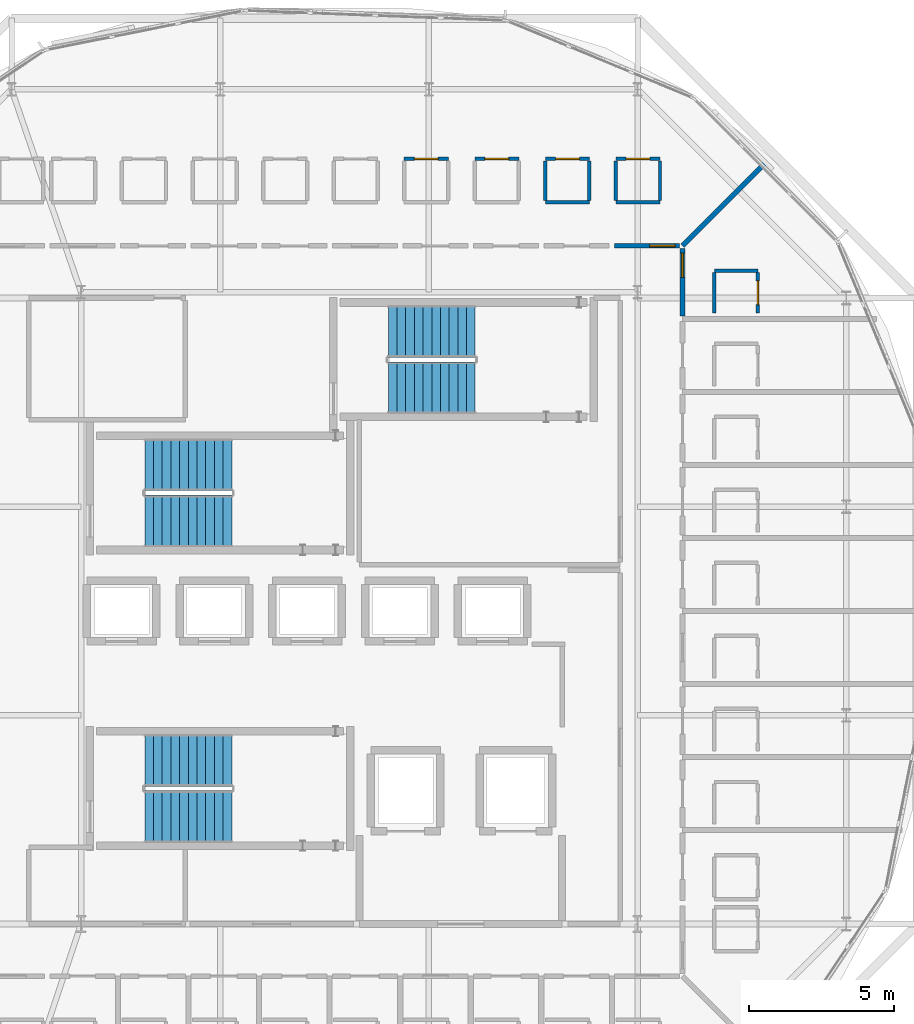
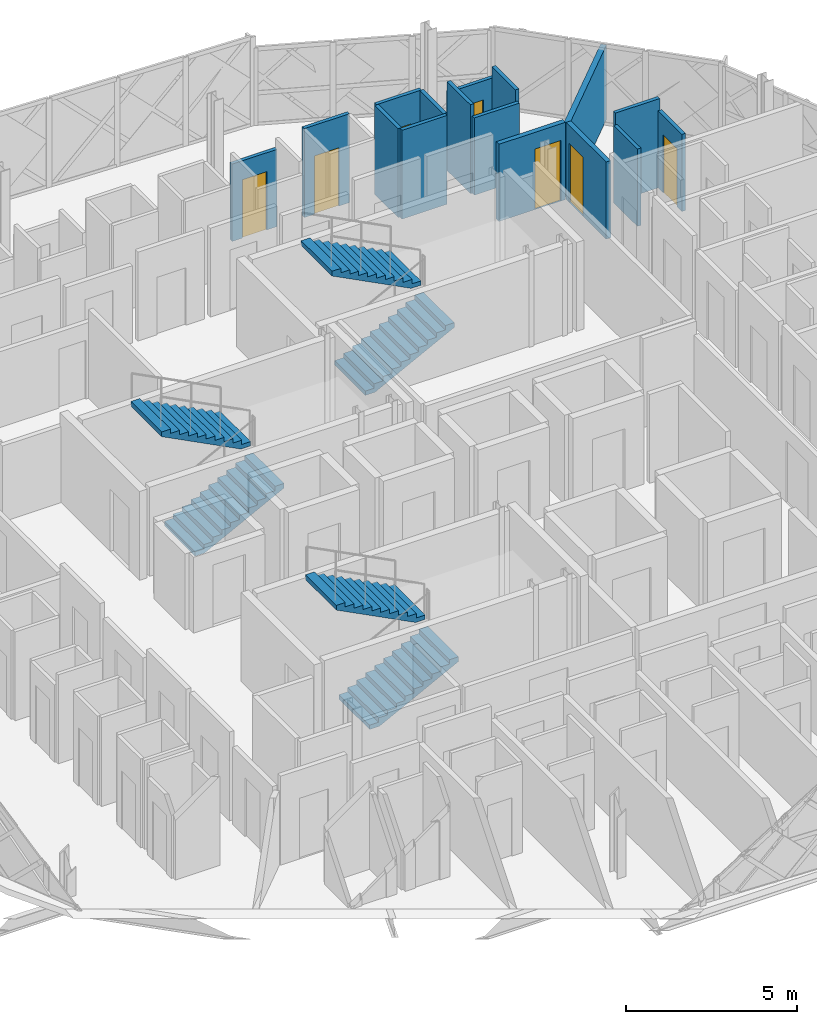
# One storey, part 19 of 24: 16 walls, 7 doors, 6 stair flights, 7 openings, 3 elements without a shape of their own.
"""IFC4 building model written with IfcOpenShell, lengths in metres."""

from ifc_helpers import new_model, si_unit, direction, frame, frame_2d, origin, place, context, subcontext, project, spatial, polyline, rectangle, outline, extrude, material, layer, layer_set, type_object, element, fill, aggregate, save


model = new_model("IFC4")

# Units and contexts
model_context = context("Model", 3, precision=1e-05, world=origin(), true_north=direction((0.0, 1.0)))
body_context = subcontext(model_context, "Body", "Model", "MODEL_VIEW")
ifc_project = project(units=[si_unit("LENGTHUNIT", "METRE"), si_unit("AREAUNIT", "SQUARE_METRE"), si_unit("VOLUMEUNIT", "CUBIC_METRE"), si_unit("PLANEANGLEUNIT", "RADIAN"), si_unit("MASSUNIT", "GRAM", prefix="KILO")], contexts=[model_context])

# Site, building, storey
site_placement = place(None, origin())
site = spatial("IfcSite", under=ifc_project, at=site_placement, CompositionType="ELEMENT")
building_placement = place(site_placement, origin())
building = spatial("IfcBuilding", under=site, at=building_placement, Name="Zevrakil Square Congress Hotel", CompositionType="ELEMENT")
storey_placement = place(building_placement, frame((0.0, 0.0, 31.699951171875)))
storey = spatial("IfcBuildingStorey", under=building, at=storey_placement, Name="L09", CompositionType="ELEMENT", Elevation=31.699951171875)

# Wall, opening, door
ifc_material_1 = material(Name="Gypsum Acoustic Stud Partition")
ifc_layer_1 = layer(ifc_material_1, 0.159912109375)
ifc_layer_set_1 = layer_set([ifc_layer_1], Name="Gypsum Acoustic Stud Partition")
wall_type_1 = type_object("IfcWallType", Name="WAL-CORR-160", PredefinedType="PARTITIONING", material=ifc_layer_set_1)
wall_1_placement = place(storey_placement, frame((157.550048828125, 37.77490234375, 0.0), z_axis=(0.0, 0.0, 1.0), x_axis=(0.0, 1.0, 0.0)))
wall_1 = element("IfcWall", 1, at=wall_1_placement, inside=storey, type_object=wall_type_1, Name="L09 interior partition PW-L09-1468", PredefinedType="PARTITIONING", context=body_context, shape_type="SweptSolid", body=[
    extrude(rectangle(XDim=2.330078125, YDim=0.159912109375, at=frame_2d((1.1650390625, 0.0))), origin(), (0.0, 0.0, 1.0), 2.755126953125),
])
opening_1_placement = place(wall_1_placement, frame((1.340087890625, 0.0, 0.0)))
opening_1 = element("IfcOpeningElement", 2, at=opening_1_placement, cuts=wall_1, Name="Opening ID-G10", PredefinedType="OPENING", context=body_context, shape_type="SweptSolid", body=[
    extrude(rectangle(XDim=0.830078125, YDim=2.110107421875, at=frame_2d((0.4150390625, 1.05517578125))), frame((0.0, 0.08984375, 0.0), z_axis=(0.0, -1.0, 0.0), x_axis=(1.0, 0.0, 0.0)), (0.0, 0.0, 1.0), 0.179931640625),
])
ifc_material_2 = material(Name="Acoustic Timber Fire Door", Category="wood")
door_type_1 = type_object("IfcDoorType", Name="DOR-INT-G10", OperationType="NOTDEFINED", PredefinedType="DOOR", material=ifc_material_2)
door_1_placement = place(opening_1_placement, origin())
door_1 = element("IfcDoor", 3, at=door_1_placement, inside=storey, type_object=door_type_1, Name="L09 interior door 572", OperationType="SINGLE_SWING_RIGHT", OverallHeight=2.110107421875, OverallWidth=0.830078125, PredefinedType="DOOR", context=body_context, shape_type="SweptSolid", body=[
    extrude(rectangle(XDim=0.830078125, YDim=2.110107421875, at=frame_2d((0.4150390625, 1.05517578125))), frame((0.0, 0.02490234375, 0.0), z_axis=(0.0, -1.0, 0.0), x_axis=(1.0, 0.0, 0.0)), (0.0, 0.0, 1.0), 0.050048828125),
])
fill(opening_1, door_1)

wall_2_placement = place(storey_placement, frame((155.2099609375, 40.199951171875, 0.0), z_axis=(0.0, 0.0, 1.0), x_axis=(1.0, 0.0, 0.0)))
wall_2 = element("IfcWall", 4, at=wall_2_placement, inside=storey, type_object=wall_type_1, Name="L09 interior partition PW-L09-1473", PredefinedType="PARTITIONING", context=body_context, shape_type="SweptSolid", body=[
    extrude(rectangle(XDim=2.2451171875, YDim=0.159912109375, at=frame_2d((1.12255859375, 0.0))), origin(), (0.0, 0.0, 1.0), 2.755126953125),
])
opening_2_placement = place(wall_2_placement, frame((1.208984375, 0.0, 0.0)))
opening_2 = element("IfcOpeningElement", 5, at=opening_2_placement, cuts=wall_2, Name="Opening ID-H03", PredefinedType="OPENING", context=body_context, shape_type="SweptSolid", body=[
    extrude(rectangle(XDim=0.8759765625, YDim=2.159912109375, at=frame_2d((0.43798828125, 1.080078125))), frame((0.0, 0.08984375, 0.0), z_axis=(0.0, -1.0, 0.0), x_axis=(1.0, 0.0, 0.0)), (0.0, 0.0, 1.0), 0.179931640625),
])
ifc_material_3 = material(Name="Acoustic Timber Fire Door", Category="wood")
door_type_2 = type_object("IfcDoorType", Name="DOR-INT-H03", OperationType="NOTDEFINED", PredefinedType="DOOR", material=ifc_material_3)
door_2_placement = place(opening_2_placement, origin())
door_2 = element("IfcDoor", 6, at=door_2_placement, inside=storey, type_object=door_type_2, Name="L09 interior door 574", OperationType="SINGLE_SWING_RIGHT", OverallHeight=2.159912109375, OverallWidth=0.8759765625, PredefinedType="DOOR", context=body_context, shape_type="SweptSolid", body=[
    extrude(rectangle(XDim=0.8759765625, YDim=2.159912109375, at=frame_2d((0.43798828125, 1.080078125))), frame((0.0, 0.02490234375, 0.0), z_axis=(0.0, -1.0, 0.0), x_axis=(1.0, 0.0, 0.0)), (0.0, 0.0, 1.0), 0.050048828125),
])
fill(opening_2, door_2)

# Walls
ifc_material_4 = material(Name="Moisture-Resistant Gypsum Partition")
ifc_layer_2 = layer(ifc_material_4, 0.1201171875)
ifc_layer_set_2 = layer_set([ifc_layer_2], Name="Moisture-Resistant Gypsum Partition")
wall_type_2 = type_object("IfcWallType", Name="WAL-ENS-120", PredefinedType="PARTITIONING", material=ifc_layer_set_2)
wall_3_placement = place(storey_placement, frame((158.64990234375, 39.340087890625, 0.0), z_axis=(0.0, 0.0, 1.0), x_axis=(1.0, 0.0, 0.0)))
element("IfcWall", 7, at=wall_3_placement, inside=storey, type_object=wall_type_2, Name="L09 interior partition PW-L09-1469", PredefinedType="PARTITIONING", context=body_context, shape_type="SweptSolid", body=[
    extrude(rectangle(XDim=1.5, YDim=0.1201171875, at=frame_2d((0.75, 0.0))), origin(), (0.0, 0.0, 1.0), 3.170166015625),
])
wall_4_placement = place(storey_placement, frame((158.64990234375, 37.885009765625, 0.0), z_axis=(0.0, 0.0, 1.0), x_axis=(0.0, 1.0, 0.0)))
element("IfcWall", 8, at=wall_4_placement, inside=storey, type_object=wall_type_2, Name="L09 interior partition PW-L09-1470", PredefinedType="PARTITIONING", context=body_context, shape_type="SweptSolid", body=[
    extrude(rectangle(XDim=1.389892578125, YDim=0.1201171875, at=frame_2d((0.69482421875, 0.0))), origin(), (0.0, 0.0, 1.0), 2.755126953125),
])

# Wall, opening, door
wall_5_placement = place(storey_placement, frame((160.14990234375, 37.885009765625, 0.0), z_axis=(0.0, 0.0, 1.0), x_axis=(0.0, 1.0, 0.0)))
wall_5 = element("IfcWall", 9, at=wall_5_placement, inside=storey, type_object=wall_type_2, Name="L09 interior partition PW-L09-1471", PredefinedType="PARTITIONING", context=body_context, shape_type="SweptSolid", body=[
    extrude(rectangle(XDim=1.389892578125, YDim=0.1201171875, at=frame_2d((0.69482421875, 0.0))), origin(), (0.0, 0.0, 1.0), 2.755126953125),
])
opening_3_placement = place(wall_5_placement, frame((0.284912109375, 0.0, 0.0)))
opening_3 = element("IfcOpeningElement", 10, at=opening_3_placement, cuts=wall_5, Name="Opening ID-11", PredefinedType="OPENING", context=body_context, shape_type="SweptSolid", body=[
    extrude(rectangle(XDim=0.820068359375, YDim=2.080078125, at=frame_2d((0.41015625, 1.0400390625))), frame((0.0, 0.070068359375, 0.0), z_axis=(0.0, -1.0, 0.0), x_axis=(1.0, 0.0, 0.0)), (0.0, 0.0, 1.0), 0.14013671875),
])
ifc_material_5 = material(Name="Acoustic Timber Door", Category="wood")
door_type_3 = type_object("IfcDoorType", Name="DOR-INT-V01", OperationType="NOTDEFINED", PredefinedType="DOOR", material=ifc_material_5)
door_3_placement = place(opening_3_placement, origin())
door_3 = element("IfcDoor", 11, at=door_3_placement, inside=storey, type_object=door_type_3, Name="L09 interior door 573", OperationType="SINGLE_SWING_LEFT", OverallHeight=2.080078125, OverallWidth=0.820068359375, PredefinedType="DOOR", context=body_context, shape_type="SweptSolid", body=[
    extrude(rectangle(XDim=0.820068359375, YDim=2.080078125, at=frame_2d((0.41015625, 1.0400390625))), frame((0.0, 0.02490234375, 0.0), z_axis=(0.0, -1.0, 0.0), x_axis=(1.0, 0.0, 0.0)), (0.0, 0.0, 1.0), 0.050048828125),
])
fill(opening_3, door_3)

# Wall
wall_6_placement = place(storey_placement, frame((155.2548828125, 41.699951171875, 0.0), z_axis=(0.0, 0.0, 1.0), x_axis=(1.0, 0.0, 0.0)))
element("IfcWall", 12, at=wall_6_placement, inside=storey, type_object=wall_type_2, Name="L09 interior partition PW-L09-1474", PredefinedType="PARTITIONING", context=body_context, shape_type="SweptSolid", body=[
    extrude(rectangle(XDim=1.52001953125, YDim=0.1201171875, at=frame_2d((0.760009765625, 0.0))), origin(), (0.0, 0.0, 1.0), 2.755126953125),
])

# Wall, opening, door
wall_7_placement = place(storey_placement, frame((155.2548828125, 43.199951171875, 0.0), z_axis=(0.0, 0.0, 1.0), x_axis=(1.0, 0.0, 0.0)))
wall_7 = element("IfcWall", 13, at=wall_7_placement, inside=storey, type_object=wall_type_2, Name="L09 interior partition PW-L09-1475", PredefinedType="PARTITIONING", context=body_context, shape_type="SweptSolid", body=[
    extrude(rectangle(XDim=1.52001953125, YDim=0.1201171875, at=frame_2d((0.760009765625, 0.0))), origin(), (0.0, 0.0, 1.0), 2.755126953125),
])
opening_4_placement = place(wall_7_placement, frame((0.35009765625, 0.0, 0.0)))
opening_4 = element("IfcOpeningElement", 14, at=opening_4_placement, cuts=wall_7, Name="Opening ID-11", PredefinedType="OPENING", context=body_context, shape_type="SweptSolid", body=[
    extrude(rectangle(XDim=0.820068359375, YDim=2.080078125, at=frame_2d((0.41015625, 1.0400390625))), frame((0.0, 0.070068359375, 0.0), z_axis=(0.0, -1.0, 0.0), x_axis=(1.0, 0.0, 0.0)), (0.0, 0.0, 1.0), 0.14013671875),
])
door_4_placement = place(opening_4_placement, origin())
door_4 = element("IfcDoor", 15, at=door_4_placement, inside=storey, type_object=door_type_3, Name="L09 interior door 575", OperationType="SINGLE_SWING_LEFT", OverallHeight=2.080078125, OverallWidth=0.820068359375, PredefinedType="DOOR", context=body_context, shape_type="SweptSolid", body=[
    extrude(rectangle(XDim=0.820068359375, YDim=2.080078125, at=frame_2d((0.41015625, 1.0400390625))), frame((0.0, 0.02490234375, 0.0), z_axis=(0.0, -1.0, 0.0), x_axis=(1.0, 0.0, 0.0)), (0.0, 0.0, 1.0), 0.050048828125),
])
fill(opening_4, door_4)

# Walls
for number, where, z_axis, x_axis, name in (
    (16, (155.2548828125, 41.764892578125, 0.0), (0.0, 0.0, 1.0), (0.0, 1.0, 0.0), "L09 interior partition PW-L09-1476"),
    (17, (156.77490234375, 41.764892578125, 0.0), (0.0, 0.0, 1.0), (0.0, 1.0, 0.0), "L09 interior partition PW-L09-1477"),
):
    element("IfcWall", number, at=place(storey_placement, frame(where, z_axis=z_axis, x_axis=x_axis)), inside=storey, type_object=wall_type_2, Name=name, PredefinedType="PARTITIONING", context=body_context, shape_type="SweptSolid", body=[
        extrude(rectangle(XDim=1.3701171875, YDim=0.1201171875, at=frame_2d((0.68505859375, 0.0))), origin(), (0.0, 0.0, 1.0), 3.170166015625),
    ])
wall_8_placement = place(storey_placement, frame((152.820068359375, 41.699951171875, 0.0), z_axis=(0.0, 0.0, 1.0), x_axis=(1.0, 0.0, 0.0)))
element("IfcWall", 18, at=wall_8_placement, inside=storey, type_object=wall_type_2, Name="L09 interior partition PW-L09-1479", PredefinedType="PARTITIONING", context=body_context, shape_type="SweptSolid", body=[
    extrude(rectangle(XDim=1.52001953125, YDim=0.1201171875, at=frame_2d((0.760009765625, 0.0))), origin(), (0.0, 0.0, 1.0), 3.170166015625),
])

# Wall, opening, door
wall_9_placement = place(storey_placement, frame((152.820068359375, 43.199951171875, 0.0), z_axis=(0.0, 0.0, 1.0), x_axis=(1.0, 0.0, 0.0)))
wall_9 = element("IfcWall", 19, at=wall_9_placement, inside=storey, type_object=wall_type_2, Name="L09 interior partition PW-L09-1480", PredefinedType="PARTITIONING", context=body_context, shape_type="SweptSolid", body=[
    extrude(rectangle(XDim=1.52001953125, YDim=0.1201171875, at=frame_2d((0.760009765625, 0.0))), origin(), (0.0, 0.0, 1.0), 3.170166015625),
])
opening_5_placement = place(wall_9_placement, frame((0.35009765625, 0.0, 0.0)))
opening_5 = element("IfcOpeningElement", 20, at=opening_5_placement, cuts=wall_9, Name="Opening ID-11", PredefinedType="OPENING", context=body_context, shape_type="SweptSolid", body=[
    extrude(rectangle(XDim=0.820068359375, YDim=2.080078125, at=frame_2d((0.41015625, 1.0400390625))), frame((0.0, 0.070068359375, 0.0), z_axis=(0.0, -1.0, 0.0), x_axis=(1.0, 0.0, 0.0)), (0.0, 0.0, 1.0), 0.14013671875),
])
door_5_placement = place(opening_5_placement, origin())
door_5 = element("IfcDoor", 21, at=door_5_placement, inside=storey, type_object=door_type_3, Name="L09 interior door 577", OperationType="SINGLE_SWING_LEFT", OverallHeight=2.080078125, OverallWidth=0.820068359375, PredefinedType="DOOR", context=body_context, shape_type="SweptSolid", body=[
    extrude(rectangle(XDim=0.820068359375, YDim=2.080078125, at=frame_2d((0.41015625, 1.0400390625))), frame((0.0, 0.02490234375, 0.0), z_axis=(0.0, -1.0, 0.0), x_axis=(1.0, 0.0, 0.0)), (0.0, 0.0, 1.0), 0.050048828125),
])
fill(opening_5, door_5)

# Walls
for number, where, z_axis, x_axis, name in (
    (22, (152.820068359375, 41.764892578125, 0.0), (0.0, 0.0, 1.0), (0.0, 1.0, 0.0), "L09 interior partition PW-L09-1481"),
    (23, (154.340087890625, 41.764892578125, 0.0), (0.0, 0.0, 1.0), (0.0, 1.0, 0.0), "L09 interior partition PW-L09-1482"),
):
    element("IfcWall", number, at=place(storey_placement, frame(where, z_axis=z_axis, x_axis=x_axis)), inside=storey, type_object=wall_type_2, Name=name, PredefinedType="PARTITIONING", context=body_context, shape_type="SweptSolid", body=[
        extrude(rectangle(XDim=1.3701171875, YDim=0.1201171875, at=frame_2d((0.68505859375, 0.0))), origin(), (0.0, 0.0, 1.0), 3.170166015625),
    ])

# Wall, opening, door
wall_10_placement = place(storey_placement, frame((150.385009765625, 43.199951171875, 0.0), z_axis=(0.0, 0.0, 1.0), x_axis=(1.0, 0.0, 0.0)))
wall_10 = element("IfcWall", 24, at=wall_10_placement, inside=storey, type_object=wall_type_2, Name="L09 interior partition PW-L09-1485", PredefinedType="PARTITIONING", context=body_context, shape_type="SweptSolid", body=[
    extrude(rectangle(XDim=1.52001953125, YDim=0.1201171875, at=frame_2d((0.760009765625, 0.0))), origin(), (0.0, 0.0, 1.0), 3.170166015625),
])
opening_6_placement = place(wall_10_placement, frame((0.35009765625, 0.0, 0.0)))
opening_6 = element("IfcOpeningElement", 25, at=opening_6_placement, cuts=wall_10, Name="Opening ID-11", PredefinedType="OPENING", context=body_context, shape_type="SweptSolid", body=[
    extrude(rectangle(XDim=0.820068359375, YDim=2.080078125, at=frame_2d((0.41015625, 1.0400390625))), frame((0.0, 0.070068359375, 0.0), z_axis=(0.0, -1.0, 0.0), x_axis=(1.0, 0.0, 0.0)), (0.0, 0.0, 1.0), 0.14013671875),
])
door_6_placement = place(opening_6_placement, origin())
door_6 = element("IfcDoor", 26, at=door_6_placement, inside=storey, type_object=door_type_3, Name="L09 interior door 579", OperationType="SINGLE_SWING_LEFT", OverallHeight=2.080078125, OverallWidth=0.820068359375, PredefinedType="DOOR", context=body_context, shape_type="SweptSolid", body=[
    extrude(rectangle(XDim=0.820068359375, YDim=2.080078125, at=frame_2d((0.41015625, 1.0400390625))), frame((0.0, 0.02490234375, 0.0), z_axis=(0.0, -1.0, 0.0), x_axis=(1.0, 0.0, 0.0)), (0.0, 0.0, 1.0), 0.050048828125),
])
fill(opening_6, door_6)

wall_11_placement = place(storey_placement, frame((147.949951171875, 43.199951171875, 0.0), z_axis=(0.0, 0.0, 1.0), x_axis=(1.0, 0.0, 0.0)))
wall_11 = element("IfcWall", 27, at=wall_11_placement, inside=storey, type_object=wall_type_2, Name="L09 interior partition PW-L09-1490", PredefinedType="PARTITIONING", context=body_context, shape_type="SweptSolid", body=[
    extrude(rectangle(XDim=1.52001953125, YDim=0.1201171875, at=frame_2d((0.760009765625, 0.0))), origin(), (0.0, 0.0, 1.0), 2.755126953125),
])
opening_7_placement = place(wall_11_placement, frame((0.35009765625, 0.0, 0.0)))
opening_7 = element("IfcOpeningElement", 28, at=opening_7_placement, cuts=wall_11, Name="Opening ID-11", PredefinedType="OPENING", context=body_context, shape_type="SweptSolid", body=[
    extrude(rectangle(XDim=0.820068359375, YDim=2.080078125, at=frame_2d((0.41015625, 1.0400390625))), frame((0.0, 0.070068359375, 0.0), z_axis=(0.0, -1.0, 0.0), x_axis=(1.0, 0.0, 0.0)), (0.0, 0.0, 1.0), 0.14013671875),
])
door_7_placement = place(opening_7_placement, origin())
door_7 = element("IfcDoor", 29, at=door_7_placement, inside=storey, type_object=door_type_3, Name="L09 interior door 581", OperationType="SINGLE_SWING_LEFT", OverallHeight=2.080078125, OverallWidth=0.820068359375, PredefinedType="DOOR", context=body_context, shape_type="SweptSolid", body=[
    extrude(rectangle(XDim=0.820068359375, YDim=2.080078125, at=frame_2d((0.41015625, 1.0400390625))), frame((0.0, 0.02490234375, 0.0), z_axis=(0.0, -1.0, 0.0), x_axis=(1.0, 0.0, 0.0)), (0.0, 0.0, 1.0), 0.050048828125),
])
fill(opening_7, door_7)

# Wall
ifc_material_6 = material(Name="Gypsum Twin-Stud Party Partition")
ifc_layer_3 = layer(ifc_material_6, 0.179931640625)
ifc_layer_set_3 = layer_set([ifc_layer_3], Name="Gypsum Twin-Stud Party Partition")
wall_type_3 = type_object("IfcWallType", Name="WAL-PARTY-180", PredefinedType="PARTITIONING", material=ifc_layer_set_3)
wall_12_placement = place(storey_placement, frame((157.550048828125, 40.199951171875, 0.0), z_axis=(0.0, 0.0, 1.0), x_axis=(0.707077282145, 0.707136278998, 0.0)))
element("IfcWall", 30, at=wall_12_placement, inside=storey, type_object=wall_type_3, Name="L09 interior partition PW-L09-1472", PredefinedType="PARTITIONING", context=body_context, shape_type="SweptSolid", body=[
    extrude(rectangle(XDim=4.13818359375, YDim=0.179931640625, at=frame_2d((2.069091796875, 0.0))), origin(), (0.0, 0.0, 1.0), 2.655029296875),
])

# Stair, stair flights
ifc_material_7 = material(Name="Concrete C35/45", Category="concrete")
stair_type = type_object("IfcStairType", Name="STR-DOGLEG-180", PredefinedType="HALF_TURN_STAIR", material=ifc_material_7)
stair_1_placement = place(storey_placement, origin())
stair_1 = element("IfcStair", 31, at=stair_1_placement, inside=storey, type_object=stair_type, Name="L09 Protected exit stair ST01", PredefinedType="HALF_TURN_STAIR")
ifc_material_8 = material(Name="Concrete C35/45", Category="concrete")
ifc_layer_4 = layer(ifc_material_8, 0.159912109375)
ifc_layer_set_4 = layer_set([ifc_layer_4], Name="Concrete C35/45")
stair_flight_type = type_object("IfcStairFlightType", Name="SFL-STRAIGHT-180", PredefinedType="STRAIGHT", material=ifc_layer_set_4)
stair_flight_1_placement = place(storey_placement, frame((139.0, 20.5, 0.0), z_axis=(0.0, 0.0, 1.0), x_axis=(1.0, 0.0, 0.0)))
stair_flight_1 = element("IfcStairFlight", 32, at=stair_flight_1_placement, type_object=stair_flight_type, Name="ST01 flight 1", NumberOfRisers=11, NumberOfTreads=10, PredefinedType="STRAIGHT", RiserHeight=0.154545455, TreadLength=0.3, context=body_context, shape_type="SweptSolid", body=[
    extrude(outline(polyline([(0.0, 0.0), (0.0, 0.154541015625), (0.300048828125, 0.154541015625), (0.300048828125, 0.30908203125), (0.60009765625, 0.30908203125), (0.60009765625, 0.463623046875), (0.89990234375, 0.463623046875), (0.89990234375, 0.6181640625), (1.199951171875, 0.6181640625), (1.199951171875, 0.772705078125), (1.5, 0.772705078125), (1.5, 0.92724609375), (1.800048828125, 0.92724609375), (1.800048828125, 1.081787109375), (2.10009765625, 1.081787109375), (2.10009765625, 1.236328125), (2.39990234375, 1.236328125), (2.39990234375, 1.390869140625), (2.699951171875, 1.390869140625), (2.699951171875, 1.54541015625), (3.0, 1.54541015625), (3.0, 1.699951171875), (3.0, 1.376708984375), (0.327392578125, 0.0), (0.0, 0.0)])), frame((0.0, 0.89990234375, 0.0), z_axis=(0.0, -1.0, 0.0), x_axis=(1.0, 0.0, 0.0)), (0.0, 0.0, 1.0), 1.800048828125),
])
stair_flight_2_placement = place(storey_placement, frame((142.0, 22.449951171875, 1.699951171875), z_axis=(0.0, 0.0, 1.0), x_axis=(-1.0, 0.0, 0.0)))
stair_flight_2 = element("IfcStairFlight", 33, at=stair_flight_2_placement, type_object=stair_flight_type, Name="ST01 flight 2", NumberOfRisers=11, NumberOfTreads=10, PredefinedType="STRAIGHT", RiserHeight=0.154545455, TreadLength=0.3, context=body_context, shape_type="SweptSolid", body=[
    extrude(outline(polyline([(0.0, 0.0), (0.0, 0.154541015625), (0.300048828125, 0.154541015625), (0.300048828125, 0.30908203125), (0.60009765625, 0.30908203125), (0.60009765625, 0.463623046875), (0.89990234375, 0.463623046875), (0.89990234375, 0.6181640625), (1.199951171875, 0.6181640625), (1.199951171875, 0.772705078125), (1.5, 0.772705078125), (1.5, 0.92724609375), (1.800048828125, 0.92724609375), (1.800048828125, 1.081787109375), (2.10009765625, 1.081787109375), (2.10009765625, 1.236328125), (2.39990234375, 1.236328125), (2.39990234375, 1.390869140625), (2.699951171875, 1.390869140625), (2.699951171875, 1.54541015625), (3.0, 1.54541015625), (3.0, 1.699951171875), (3.0, 1.376708984375), (0.327392578125, 0.0), (0.0, 0.0)])), frame((0.0, 0.89990234375, 0.0), z_axis=(0.0, -1.0, 0.0), x_axis=(1.0, 0.0, 0.0)), (0.0, 0.0, 1.0), 1.800048828125),
])
aggregate(stair_1, [stair_flight_1, stair_flight_2])

stair_2_placement = place(storey_placement, origin())
stair_2 = element("IfcStair", 34, at=stair_2_placement, inside=storey, type_object=stair_type, Name="L09 Protected exit stair ST02", PredefinedType="HALF_TURN_STAIR")
stair_flight_3_placement = place(storey_placement, frame((139.0, 30.699951171875, 0.0), z_axis=(0.0, 0.0, 1.0), x_axis=(1.0, 0.0, 0.0)))
stair_flight_3 = element("IfcStairFlight", 35, at=stair_flight_3_placement, type_object=stair_flight_type, Name="ST02 flight 1", NumberOfRisers=11, NumberOfTreads=10, PredefinedType="STRAIGHT", RiserHeight=0.154545455, TreadLength=0.3, context=body_context, shape_type="SweptSolid", body=[
    extrude(outline(polyline([(0.0, 0.0), (0.0, 0.154541015625), (0.300048828125, 0.154541015625), (0.300048828125, 0.30908203125), (0.60009765625, 0.30908203125), (0.60009765625, 0.463623046875), (0.89990234375, 0.463623046875), (0.89990234375, 0.6181640625), (1.199951171875, 0.6181640625), (1.199951171875, 0.772705078125), (1.5, 0.772705078125), (1.5, 0.92724609375), (1.800048828125, 0.92724609375), (1.800048828125, 1.081787109375), (2.10009765625, 1.081787109375), (2.10009765625, 1.236328125), (2.39990234375, 1.236328125), (2.39990234375, 1.390869140625), (2.699951171875, 1.390869140625), (2.699951171875, 1.54541015625), (3.0, 1.54541015625), (3.0, 1.699951171875), (3.0, 1.376708984375), (0.327392578125, 0.0), (0.0, 0.0)])), frame((0.0, 0.89990234375, 0.0), z_axis=(0.0, -1.0, 0.0), x_axis=(1.0, 0.0, 0.0)), (0.0, 0.0, 1.0), 1.800048828125),
])
stair_flight_4_placement = place(storey_placement, frame((142.0, 32.64990234375, 1.699951171875), z_axis=(0.0, 0.0, 1.0), x_axis=(-1.0, 0.0, 0.0)))
stair_flight_4 = element("IfcStairFlight", 36, at=stair_flight_4_placement, type_object=stair_flight_type, Name="ST02 flight 2", NumberOfRisers=11, NumberOfTreads=10, PredefinedType="STRAIGHT", RiserHeight=0.154545455, TreadLength=0.3, context=body_context, shape_type="SweptSolid", body=[
    extrude(outline(polyline([(0.0, 0.0), (0.0, 0.154541015625), (0.300048828125, 0.154541015625), (0.300048828125, 0.30908203125), (0.60009765625, 0.30908203125), (0.60009765625, 0.463623046875), (0.89990234375, 0.463623046875), (0.89990234375, 0.6181640625), (1.199951171875, 0.6181640625), (1.199951171875, 0.772705078125), (1.5, 0.772705078125), (1.5, 0.92724609375), (1.800048828125, 0.92724609375), (1.800048828125, 1.081787109375), (2.10009765625, 1.081787109375), (2.10009765625, 1.236328125), (2.39990234375, 1.236328125), (2.39990234375, 1.390869140625), (2.699951171875, 1.390869140625), (2.699951171875, 1.54541015625), (3.0, 1.54541015625), (3.0, 1.699951171875), (3.0, 1.376708984375), (0.327392578125, 0.0), (0.0, 0.0)])), frame((0.0, 0.89990234375, 0.0), z_axis=(0.0, -1.0, 0.0), x_axis=(1.0, 0.0, 0.0)), (0.0, 0.0, 1.0), 1.800048828125),
])
aggregate(stair_2, [stair_flight_3, stair_flight_4])

stair_3_placement = place(storey_placement, origin())
stair_3 = element("IfcStair", 37, at=stair_3_placement, inside=storey, type_object=stair_type, Name="L09 Protected exit stair ST03", PredefinedType="HALF_TURN_STAIR")
stair_flight_5_placement = place(storey_placement, frame((147.39990234375, 35.300048828125, 0.0), z_axis=(0.0, 0.0, 1.0), x_axis=(1.0, 0.0, 0.0)))
stair_flight_5 = element("IfcStairFlight", 38, at=stair_flight_5_placement, type_object=stair_flight_type, Name="ST03 flight 1", NumberOfRisers=11, NumberOfTreads=10, PredefinedType="STRAIGHT", RiserHeight=0.154545455, TreadLength=0.3, context=body_context, shape_type="SweptSolid", body=[
    extrude(outline(polyline([(0.0, 0.0), (0.0, 0.154541015625), (0.300048828125, 0.154541015625), (0.300048828125, 0.30908203125), (0.60009765625, 0.30908203125), (0.60009765625, 0.463623046875), (0.89990234375, 0.463623046875), (0.89990234375, 0.6181640625), (1.199951171875, 0.6181640625), (1.199951171875, 0.772705078125), (1.5, 0.772705078125), (1.5, 0.92724609375), (1.800048828125, 0.92724609375), (1.800048828125, 1.081787109375), (2.10009765625, 1.081787109375), (2.10009765625, 1.236328125), (2.39990234375, 1.236328125), (2.39990234375, 1.390869140625), (2.699951171875, 1.390869140625), (2.699951171875, 1.54541015625), (3.0, 1.54541015625), (3.0, 1.699951171875), (3.0, 1.376708984375), (0.327392578125, 0.0), (0.0, 0.0)])), frame((0.0, 0.89990234375, 0.0), z_axis=(0.0, -1.0, 0.0), x_axis=(1.0, 0.0, 0.0)), (0.0, 0.0, 1.0), 1.800048828125),
])
stair_flight_6_placement = place(storey_placement, frame((150.39990234375, 37.25, 1.699951171875), z_axis=(0.0, 0.0, 1.0), x_axis=(-1.0, 0.0, 0.0)))
stair_flight_6 = element("IfcStairFlight", 39, at=stair_flight_6_placement, type_object=stair_flight_type, Name="ST03 flight 2", NumberOfRisers=11, NumberOfTreads=10, PredefinedType="STRAIGHT", RiserHeight=0.154545455, TreadLength=0.3, context=body_context, shape_type="SweptSolid", body=[
    extrude(outline(polyline([(0.0, 0.0), (0.0, 0.154541015625), (0.300048828125, 0.154541015625), (0.300048828125, 0.30908203125), (0.60009765625, 0.30908203125), (0.60009765625, 0.463623046875), (0.89990234375, 0.463623046875), (0.89990234375, 0.6181640625), (1.199951171875, 0.6181640625), (1.199951171875, 0.772705078125), (1.5, 0.772705078125), (1.5, 0.92724609375), (1.800048828125, 0.92724609375), (1.800048828125, 1.081787109375), (2.10009765625, 1.081787109375), (2.10009765625, 1.236328125), (2.39990234375, 1.236328125), (2.39990234375, 1.390869140625), (2.699951171875, 1.390869140625), (2.699951171875, 1.54541015625), (3.0, 1.54541015625), (3.0, 1.699951171875), (3.0, 1.376708984375), (0.327392578125, 0.0), (0.0, 0.0)])), frame((0.0, 0.89990234375, 0.0), z_axis=(0.0, -1.0, 0.0), x_axis=(1.0, 0.0, 0.0)), (0.0, 0.0, 1.0), 1.800048828125),
])
aggregate(stair_3, [stair_flight_5, stair_flight_6])

save(model, "model.ifc")
